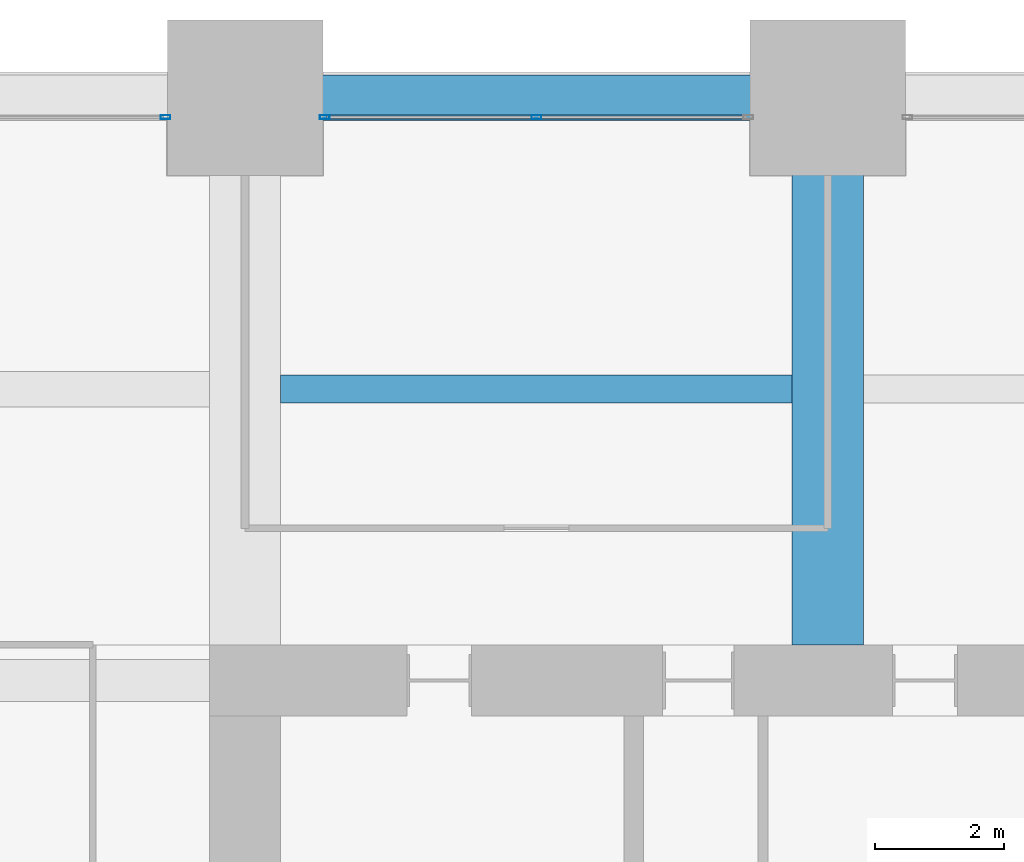
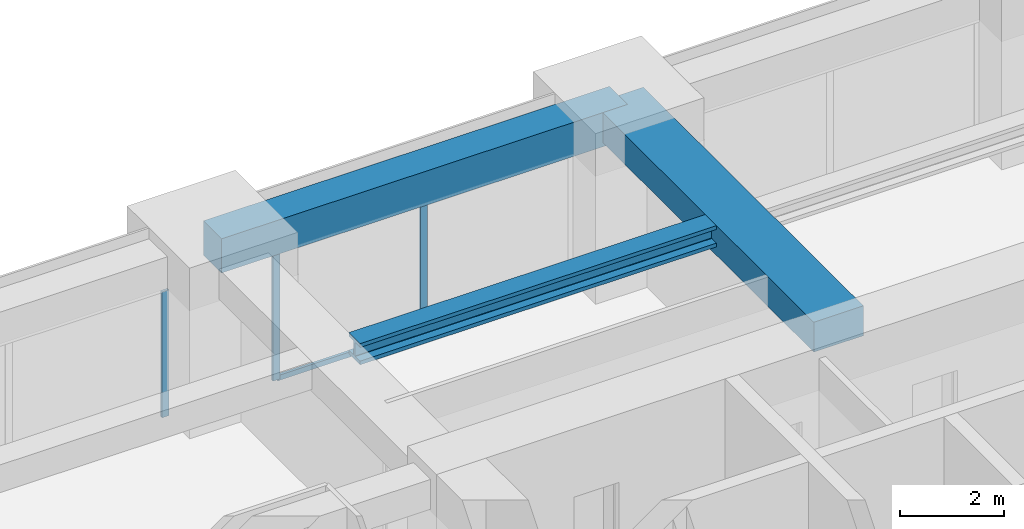
# One storey, part 28 of 40: 4 members, 3 beams, 2 elements without a shape of their own.
"""IFC4 building model written with IfcOpenShell, lengths in metres."""

from ifc_helpers import new_model, si_unit, direction, frame, origin, origin_2d, place, context, subcontext, project, spatial, rectangle, hollow_rectangle, i_section, extrude, material, material_profile, profile_set, type_object, element, aggregate, save


model = new_model("IFC4")

# Units and contexts
model_context = context("Model", 3, precision=1e-05, world=origin(), true_north=direction((0.0, 1.0)))
body_context = subcontext(model_context, "Body", "Model", "MODEL_VIEW")
ifc_project = project(units=[si_unit("LENGTHUNIT", "METRE"), si_unit("AREAUNIT", "SQUARE_METRE"), si_unit("VOLUMEUNIT", "CUBIC_METRE"), si_unit("PLANEANGLEUNIT", "RADIAN"), si_unit("MASSUNIT", "GRAM", prefix="KILO")], contexts=[model_context])

# Site, building, storey
site_placement = place(None, origin())
site = spatial("IfcSite", under=ifc_project, at=site_placement, CompositionType="ELEMENT")
building_placement = place(site_placement, origin())
building = spatial("IfcBuilding", under=site, at=building_placement, Name="Zorevar Civic Tower", CompositionType="ELEMENT")
storey_placement = place(building_placement, frame((0.0, 0.0, 129.0)))
storey = spatial("IfcBuildingStorey", under=building, at=storey_placement, Name="L31", CompositionType="ELEMENT", Elevation=129.0)

# Beam
ifc_material_1 = material(Name="Concrete C50/60", Category="concrete")
ifc_material_profile_1 = material_profile(ifc_material_1, rectangle(XDim=1.10009765625, YDim=0.699951171875, at=origin_2d()), Name="RC 1100x700")
ifc_profile_set_1 = profile_set([ifc_material_profile_1], Name="Concrete C50/60")
beam_type_1 = type_object("IfcBeamType", Name="Beam RC 1100x700", PredefinedType="BEAM", material=ifc_profile_set_1)
beam_1_placement = place(storey_placement, frame((27.0, 36.550048828125, 3.39990234375), z_axis=(0.0, 1.0, 0.0), x_axis=(-1.0, 0.0, 0.0)))
element("IfcBeam", 1, at=beam_1_placement, inside=storey, type_object=beam_type_1, Name="Girder L32", PredefinedType="BEAM", context=body_context, shape_type="SweptSolid", body=[
    extrude(rectangle(XDim=1.10009765625, YDim=0.699951171875, at=origin_2d()), origin(), (0.0, 0.0, 1.0), 8.449951171875),
])

# Curtain wall, member
ifc_material_2 = material(Name="Dark grey solar-control glass in black aluminium frame", Category="aluminium")
curtain_wall_type = type_object("IfcCurtainWallType", Name="Curtain wall CW3 mid zone", PredefinedType="NOTDEFINED", material=ifc_material_2)
curtain_wall_1_placement = place(storey_placement, origin())
curtain_wall_1 = element("IfcCurtainWall", 2, at=curtain_wall_1_placement, inside=storey, type_object=curtain_wall_type, Name="CW3 L31", PredefinedType="NOTDEFINED")
ifc_material_3 = material(Name="Aluminium, black anodised", Category="aluminium")
ifc_material_profile_2 = material_profile(ifc_material_3, hollow_rectangle(XDim=0.06005859375, YDim=0.14990234375, WallThickness=0.00390625, at=origin_2d()), Name="AL 150x60x4")
ifc_profile_set_2 = profile_set([ifc_material_profile_2], Name="Aluminium, black anodised")
member_type_1 = type_object("IfcMemberType", Name="CW3 mullion AL 150x60x4", PredefinedType="MULLION", material=ifc_profile_set_2)
member_1_placement = place(storey_placement, frame((16.77001953125, 44.699951171875, 0.0), z_axis=(0.0, 0.0, 1.0), x_axis=(0.0, 1.0, 0.0)))
member_1 = element("IfcMember", 3, at=member_1_placement, type_object=member_type_1, Name="CW3 mullion 3", PredefinedType="MULLION", context=body_context, shape_type="SweptSolid", body=[
    extrude(hollow_rectangle(XDim=0.06005859375, YDim=0.14990234375, WallThickness=0.00390625, at=origin_2d()), origin(), (0.0, 0.0, 1.0), 2.949951171875),
])
aggregate(curtain_wall_1, [member_1])

# Curtain wall, members
curtain_wall_2_placement = place(storey_placement, origin())
curtain_wall_2 = element("IfcCurtainWall", 4, at=curtain_wall_2_placement, inside=storey, type_object=curtain_wall_type, Name="CW3 L31", PredefinedType="NOTDEFINED")
member_2_placement = place(storey_placement, frame((19.22998046875, 44.699951171875, 0.0), z_axis=(0.0, 0.0, 1.0), x_axis=(0.0, 1.0, 0.0)))
member_2 = element("IfcMember", 5, at=member_2_placement, type_object=member_type_1, Name="CW3 mullion 1", PredefinedType="MULLION", context=body_context, shape_type="SweptSolid", body=[
    extrude(hollow_rectangle(XDim=0.06005859375, YDim=0.14990234375, WallThickness=0.00390625, at=origin_2d()), origin(), (0.0, 0.0, 1.0), 2.949951171875),
])
member_3_placement = place(storey_placement, frame((22.5, 44.699951171875, 0.06005859375), z_axis=(0.0, 0.0, 1.0), x_axis=(0.0, 1.0, 0.0)))
member_3 = element("IfcMember", 6, at=member_3_placement, type_object=member_type_1, Name="CW3 mullion 2", PredefinedType="MULLION", context=body_context, shape_type="SweptSolid", body=[
    extrude(hollow_rectangle(XDim=0.06005859375, YDim=0.14990234375, WallThickness=0.00390625, at=origin_2d()), origin(), (0.0, 0.0, 1.0), 2.889892578125),
])
ifc_material_4 = material(Name="Aluminium, black anodised", Category="aluminium")
ifc_material_profile_3 = material_profile(ifc_material_4, hollow_rectangle(XDim=0.06005859375, YDim=0.1201171875, WallThickness=0.0029296875, at=origin_2d()), Name="AL 120x60x3")
ifc_profile_set_3 = profile_set([ifc_material_profile_3], Name="Aluminium, black anodised")
member_type_2 = type_object("IfcMemberType", Name="CW3 transom AL 120x60x3", PredefinedType="USERDEFINED", material=ifc_profile_set_3)
member_4_placement = place(storey_placement, frame((19.260009765625, 44.699951171875, 0.030029296875), z_axis=(1.0, 0.0, 0.0), x_axis=(0.0, 1.0, 0.0)))
member_4 = element("IfcMember", 7, at=member_4_placement, type_object=member_type_2, Name="CW3 sill transom", ObjectType="TRANSOM", PredefinedType="USERDEFINED", context=body_context, shape_type="SweptSolid", body=[
    extrude(hollow_rectangle(XDim=0.06005859375, YDim=0.1201171875, WallThickness=0.0029296875, at=origin_2d()), origin(), (0.0, 0.0, 1.0), 6.47998046875),
])
aggregate(curtain_wall_2, [member_2, member_3, member_4])

# Beams
ifc_material_5 = material(Name="Steel S460M (HISTAR 460)", Category="steel")
ifc_material_profile_4 = material_profile(ifc_material_5, i_section(OverallWidth=0.431884765625, OverallDepth=0.498046875, WebThickness=0.0556640625, FlangeThickness=0.0888671875, FilletRadius=0.014892578125, at=origin_2d()), Name="HD 400x744")
ifc_profile_set_4 = profile_set([ifc_material_profile_4], Name="Steel S460M (HISTAR 460)")
beam_type_2 = type_object("IfcBeamType", Name="Core bay beam HD 400x744", PredefinedType="BEAM", material=ifc_profile_set_4)
beam_2_placement = place(storey_placement, frame((18.550048828125, 40.5, 3.5009765625), z_axis=(1.0, 0.0, 0.0), x_axis=(0.0, 1.0, 0.0)))
element("IfcBeam", 8, at=beam_2_placement, inside=storey, type_object=beam_type_2, Name="Secondary beam L32", PredefinedType="BEAM", context=body_context, shape_type="SweptSolid", body=[
    extrude(i_section(OverallWidth=0.431884765625, OverallDepth=0.498046875, WebThickness=0.0556640625, FlangeThickness=0.0888671875, FilletRadius=0.014892578125, at=origin_2d()), origin(), (0.0, 0.0, 1.0), 7.89990234375),
])
ifc_material_6 = material(Name="Concrete C50/60", Category="concrete")
ifc_material_profile_5 = material_profile(ifc_material_6, rectangle(XDim=0.699951171875, YDim=0.800048828125, at=origin_2d()), Name="RC 700x800")
ifc_profile_set_5 = profile_set([ifc_material_profile_5], Name="Concrete C50/60")
beam_type_3 = type_object("IfcBeamType", Name="Edge beam RC 700x800", PredefinedType="SPANDREL", material=ifc_profile_set_5)
beam_3_placement = place(storey_placement, frame((18.0, 45.0, 3.35009765625), z_axis=(1.0, 0.0, 0.0), x_axis=(0.0, 1.0, 0.0)))
element("IfcBeam", 9, at=beam_3_placement, inside=storey, type_object=beam_type_3, Name="Edge beam L32", PredefinedType="SPANDREL", context=body_context, shape_type="SweptSolid", body=[
    extrude(rectangle(XDim=0.699951171875, YDim=0.800048828125, at=origin_2d()), origin(), (0.0, 0.0, 1.0), 9.0),
])

save(model, "model.ifc")
